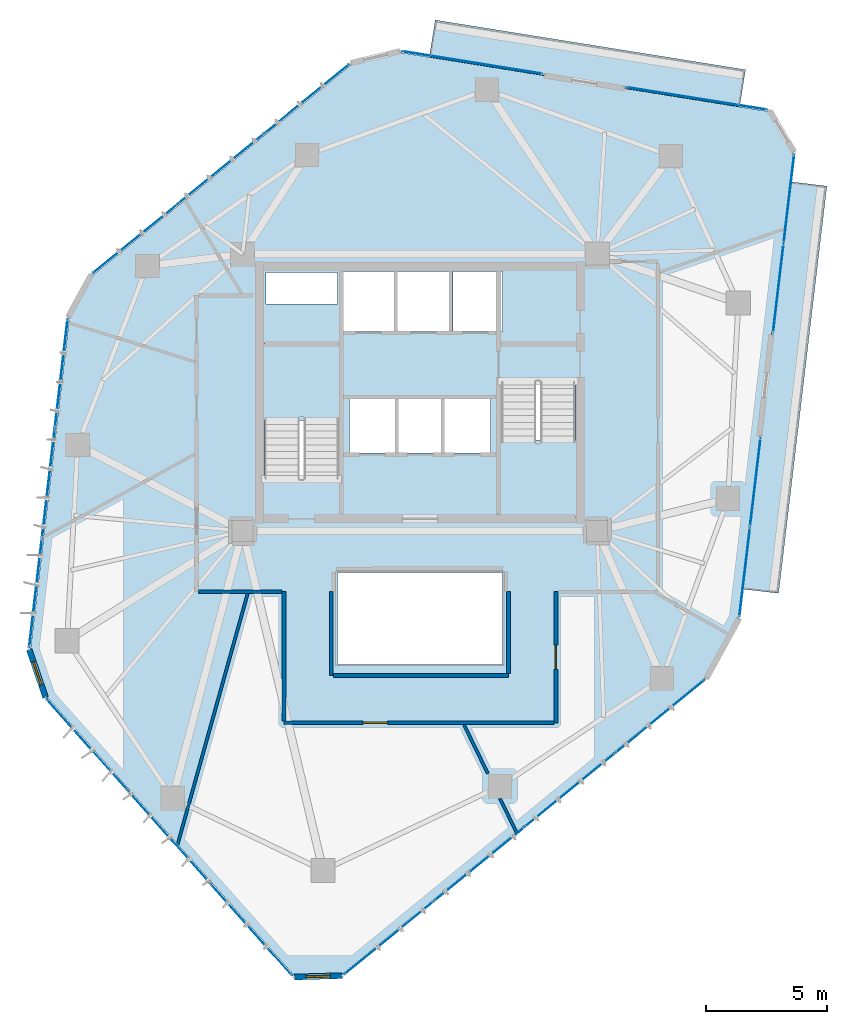
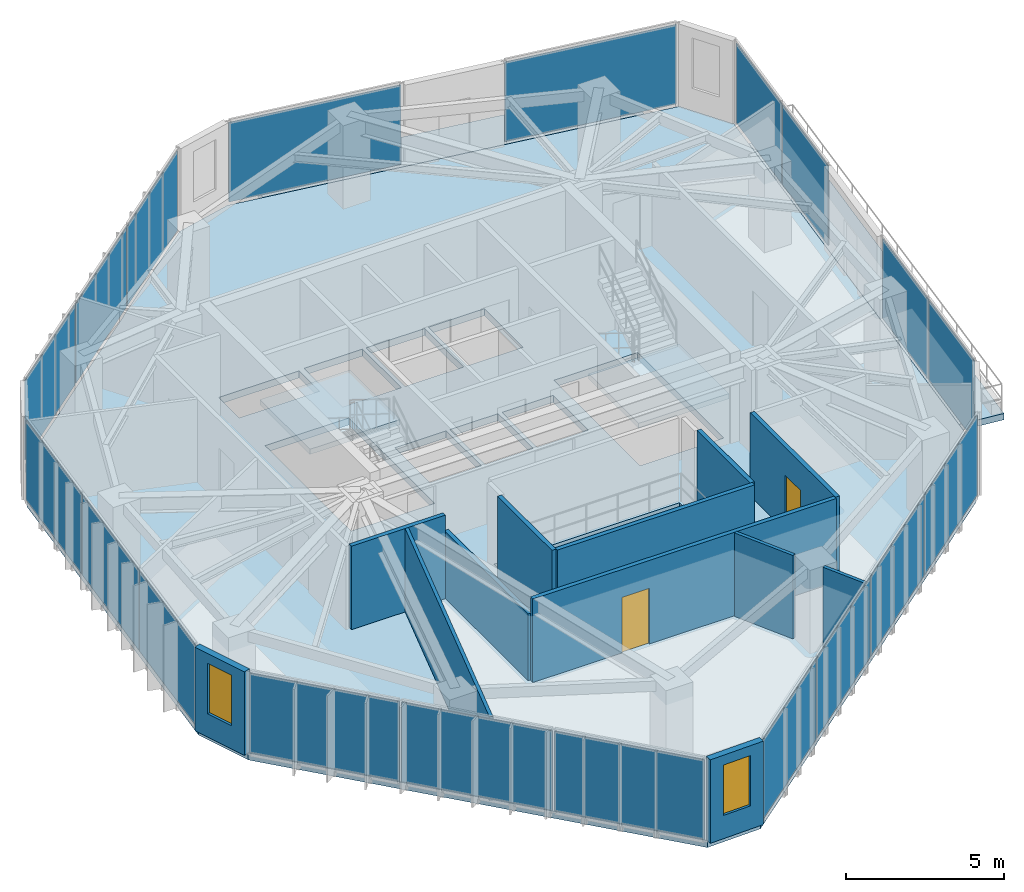
# One storey, part 17 of 22: 19 plates, 12 walls, 5 slabs, 2 doors, 2 windows, 4 openings, 10 elements without a shape of their own.
"""IFC4 building model written with IfcOpenShell, lengths in metres."""

from ifc_helpers import new_model, si_unit, direction, frame, frame_2d, origin, origin_2d, place, context, subcontext, project, spatial, polyline, rectangle, outline, extrude, source, transform, mapped, material, layer, layer_set, type_object, type_shapes, element, fill, aggregate, save


model = new_model("IFC4")

# Units and contexts
model_context = context("Model", 3, precision=1e-05, world=origin(), true_north=direction((0.0, 1.0)))
body_context = subcontext(model_context, "Body", "Model", "MODEL_VIEW")
ifc_project = project(units=[si_unit("LENGTHUNIT", "METRE"), si_unit("AREAUNIT", "SQUARE_METRE"), si_unit("VOLUMEUNIT", "CUBIC_METRE"), si_unit("PLANEANGLEUNIT", "RADIAN"), si_unit("MASSUNIT", "GRAM", prefix="KILO")], contexts=[model_context])

# Site, building, storey
site_placement = place(None, origin())
site = spatial("IfcSite", under=ifc_project, at=site_placement, CompositionType="ELEMENT")
building_placement = place(site_placement, origin())
building = spatial("IfcBuilding", under=site, at=building_placement, Name="Talar Marvaseh", CompositionType="ELEMENT")
storey_placement = place(building_placement, frame((0.0, 0.0, 229.199951171875)))
storey = spatial("IfcBuildingStorey", under=building, at=storey_placement, Name="L60", CompositionType="ELEMENT", Elevation=229.199951171875)

# Slabs
ifc_material_1 = material(Name="Concrete C40/50", Category="concrete")
ifc_layer_1 = layer(ifc_material_1, 0.2451171875)
ifc_layer_set_1 = layer_set([ifc_layer_1], Name="Concrete C40/50")
slab_type_1 = type_object("IfcSlabType", Name="External Cantilevered Planted Terrace Slab 245", PredefinedType="FLOOR", material=ifc_layer_set_1)
slab_1_placement = place(storey_placement, frame((0.0, 0.0, -0.244873046875)))
element("IfcSlab", 1, at=slab_1_placement, inside=storey, type_object=slab_type_1, Name="L60 Planted Balcony Terrace 1", PredefinedType="FLOOR", context=body_context, shape_type="SweptSolid", body=[
    extrude(outline(polyline([(26.38720703125, 45.010986328125), (39.16357421875, 42.96533203125), (39.40869140625, 44.495849609375), (26.63232421875, 46.54150390625), (26.38720703125, 45.010986328125)])), origin(), (0.0, 0.0, 1.0), 0.244873046875),
])
slab_2_placement = place(storey_placement, frame((0.0, 0.0, -0.244873046875)))
element("IfcSlab", 2, at=slab_2_placement, inside=storey, type_object=slab_type_1, Name="L60 Planted Balcony Terrace 2", PredefinedType="FLOOR", context=body_context, shape_type="SweptSolid", body=[
    extrude(outline(polyline([(41.220703125, 39.885498046875), (39.23291015625, 23.11474609375), (40.772216796875, 22.932373046875), (42.760009765625, 39.703125), (41.220703125, 39.885498046875)])), origin(), (0.0, 0.0, 1.0), 0.244873046875),
])

# Stair, slab
stair_type = type_object("IfcStairType", Name="Reinforced Concrete High-Rise Exit Stair Type C", PredefinedType="HALF_TURN_STAIR", material=ifc_material_1)
stair_1_placement = place(storey_placement, origin())
stair_1 = element("IfcStair", 3, at=stair_1_placement, inside=storey, type_object=stair_type, Name="L60 Tower West Core Exit Stair", PredefinedType="HALF_TURN_STAIR")
ifc_layer_2 = layer(ifc_material_1, 0.199951171875)
ifc_layer_set_2 = layer_set([ifc_layer_2], Name="Concrete C40/50")
slab_type_2 = type_object("IfcSlabType", Name="Reinforced Concrete Stair Half-Landing Slab 200", PredefinedType="LANDING", material=ifc_layer_set_2)
slab_3_placement = place(storey_placement, frame((0.0, 0.0, 1.550048828125)))
slab_3 = element("IfcSlab", 4, at=slab_3_placement, type_object=slab_type_2, Name="ST-1 landing 1", PredefinedType="LANDING", context=body_context, shape_type="SweptSolid", body=[
    extrude(outline(polyline([(22.780029296875, 30.050048828125), (22.780029296875, 33.219970703125), (19.47998046875, 33.219970703125), (19.47998046875, 30.050048828125), (22.780029296875, 30.050048828125)])), origin(), (0.0, 0.0, 1.0), 0.199951171875),
])
aggregate(stair_1, [slab_3])

stair_2_placement = place(storey_placement, origin())
stair_2 = element("IfcStair", 5, at=stair_2_placement, inside=storey, type_object=stair_type, Name="L60 Tower East Core Exit Stair", PredefinedType="HALF_TURN_STAIR")
slab_4_placement = place(storey_placement, frame((0.0, 0.0, 1.550048828125)))
slab_4 = element("IfcSlab", 6, at=slab_4_placement, type_object=slab_type_2, Name="ST-2 landing 1", PredefinedType="LANDING", context=body_context, shape_type="SweptSolid", body=[
    extrude(outline(polyline([(29.219970703125, 29.25), (29.219970703125, 26.080078125), (32.52001953125, 26.080078125), (32.52001953125, 29.25), (29.219970703125, 29.25)])), origin(), (0.0, 0.0, 1.0), 0.199951171875),
])
aggregate(stair_2, [slab_4])

# Slab
ifc_layer_3 = layer(ifc_material_1, 0.27001953125)
ifc_layer_set_3 = layer_set([ifc_layer_3], Name="Concrete C40/50")
slab_type_3 = type_object("IfcSlabType", Name="Structural Suspended Floor Slab 270", PredefinedType="FLOOR", material=ifc_layer_set_3)
slab_5_placement = place(storey_placement, frame((0.0, 0.0, -0.27001953125)))
element("IfcSlab", 7, at=slab_5_placement, inside=storey, type_object=slab_type_3, Name="L60 Tower Floor Slab", PredefinedType="FLOOR", context=body_context, shape_type="SweptSolid", body=[
    extrude(outline(polyline([(22.802978515625, 7.248779296875), (20.826171875, 7.191162109375), (10.642822265625, 18.662109375), (9.96728515625, 20.638427734375), (11.565185546875, 34.27685546875), (12.528564453125, 36.033203125), (23.172607421875, 44.70849609375), (25.202392578125, 45.20068359375), (40.348388671875, 42.775634765625), (41.36181640625, 41.0771484375), (39.091796875, 21.923095703125), (37.73779296875, 19.454833984375), (22.802978515625, 7.248779296875)]), holes=[polyline([(22.659912109375, 27.64990234375), (22.659912109375, 33.10009765625), (19.60009765625, 33.10009765625), (19.60009765625, 27.64990234375), (22.659912109375, 27.64990234375)]), polyline([(29.340087890625, 31.64990234375), (29.340087890625, 26.199951171875), (32.39990234375, 26.199951171875), (32.39990234375, 31.64990234375), (29.340087890625, 31.64990234375)]), polyline([(22.800048828125, 33.719970703125), (24.93994140625, 33.719970703125), (24.93994140625, 36.179931640625), (22.800048828125, 36.179931640625), (22.800048828125, 33.719970703125)]), polyline([(25.080078125, 33.719970703125), (27.219970703125, 33.719970703125), (27.219970703125, 36.179931640625), (25.080078125, 36.179931640625), (25.080078125, 33.719970703125)]), polyline([(27.360107421875, 33.719970703125), (29.39990234375, 33.719970703125), (29.39990234375, 36.179931640625), (27.360107421875, 36.179931640625), (27.360107421875, 33.719970703125)]), polyline([(23.10009765625, 28.719970703125), (24.97998046875, 28.719970703125), (24.97998046875, 30.93994140625), (23.10009765625, 30.93994140625), (23.10009765625, 28.719970703125)]), polyline([(25.1201171875, 28.719970703125), (26.8798828125, 28.719970703125), (26.8798828125, 30.93994140625), (25.1201171875, 30.93994140625), (25.1201171875, 28.719970703125)]), polyline([(27.02001953125, 28.719970703125), (28.89990234375, 28.719970703125), (28.89990234375, 30.93994140625), (27.02001953125, 30.93994140625), (27.02001953125, 28.719970703125)]), polyline([(19.659912109375, 34.840087890625), (22.60009765625, 34.840087890625), (22.60009765625, 36.139892578125), (19.659912109375, 36.139892578125), (19.659912109375, 34.840087890625)]), polyline([(22.60009765625, 20.0), (29.39990234375, 20.0), (29.39990234375, 23.800048828125), (22.60009765625, 23.800048828125), (22.60009765625, 20.0)])]), origin(), (0.0, 0.0, 1.0), 0.27001953125),
])

# Curtain wall, plates
ifc_material_2 = material(Name="Architectural Aluminium", Category="aluminium")
ifc_layer_4 = layer(ifc_material_2, 0.18994140625)
ifc_layer_set_4 = layer_set([ifc_layer_4], Name="Architectural Aluminium")
curtain_wall_type = type_object("IfcCurtainWallType", Name="Unitised Solar Atelier Curtain Wall Z3", PredefinedType="NOTDEFINED", material=ifc_layer_set_4)
curtain_wall_1_placement = place(storey_placement, origin())
curtain_wall_1 = element("IfcCurtainWall", 8, at=curtain_wall_1_placement, inside=storey, type_object=curtain_wall_type, Name="L60 Unitised Solar Atelier Curtain Wall Z3", PredefinedType="NOTDEFINED")
ifc_material_3 = material(Name="Laminated Low-E Solar Glass", Category="glass")
ifc_layer_5 = layer(ifc_material_3, 0.028076171875)
ifc_layer_set_5 = layer_set([ifc_layer_5], Name="Laminated Low-E Solar Glass")
plate_type = type_object("IfcPlateType", Name="Double-Glazed Low-E Vision Curtain Panel 28", PredefinedType="CURTAIN_PANEL", material=ifc_layer_set_5)
shared_shape_1 = source(origin(), body_context, "Body", "SweptSolid", [
    extrude(rectangle(XDim=5.00048828125, YDim=0.028076171875, at=origin_2d()), origin(), (0.0, 0.0, 1.0), 3.080078125),
])
plate_1_placement = place(storey_placement, frame((19.071533203125, 9.0771484375, 0.074951171875), z_axis=(0.0, 0.0, 1.0), x_axis=(-0.663881765717, 0.747837549972, 0.0)))
plate_1 = element("IfcPlate", 9, at=plate_1_placement, type_object=plate_type, Name="CW-Z3 panel 1.1", PredefinedType="CURTAIN_PANEL", context=body_context, shape_type="MappedRepresentation", body=[
    mapped(shared_shape_1, transform((0.0, 0.0, 0.0), x_axis=(1.0, 0.0, 0.0), y_axis=(0.0, 1.0, 0.0), z_axis=(0.0, 0.0, 1.0), scale=1.0)),
])
plate_2_placement = place(storey_placement, frame((12.3076171875, 16.696533203125, 0.074951171875), z_axis=(0.0, 0.0, 1.0), x_axis=(-0.663881765717, 0.747837549972, 0.0)))
plate_2 = element("IfcPlate", 10, at=plate_2_placement, type_object=plate_type, Name="CW-Z3 panel 3.1", PredefinedType="CURTAIN_PANEL", context=body_context, shape_type="MappedRepresentation", body=[
    mapped(shared_shape_1, transform((0.0, 0.0, 0.0), x_axis=(1.0, 0.0, 0.0), y_axis=(0.0, 1.0, 0.0), z_axis=(0.0, 0.0, 1.0), scale=1.0)),
])
shared_shape_2 = source(origin(), body_context, "Body", "SweptSolid", [
    extrude(rectangle(XDim=5.0380859375, YDim=0.028076171875, at=origin_2d()), origin(), (0.0, 0.0, 1.0), 3.080078125),
])
plate_3_placement = place(storey_placement, frame((15.689697265625, 12.886962890625, 0.074951171875), z_axis=(0.0, 0.0, 1.0), x_axis=(-0.663881765717, 0.747837549972, 0.0)))
plate_3 = element("IfcPlate", 11, at=plate_3_placement, type_object=plate_type, Name="CW-Z3 panel 2.1", PredefinedType="CURTAIN_PANEL", context=body_context, shape_type="MappedRepresentation", body=[
    mapped(shared_shape_2, transform((0.0, 0.0, 0.0), x_axis=(1.0, 0.0, 0.0), y_axis=(0.0, 1.0, 0.0), z_axis=(0.0, 0.0, 1.0), scale=1.0)),
])
aggregate(curtain_wall_1, [plate_1, plate_3, plate_2])

curtain_wall_2_placement = place(storey_placement, origin())
curtain_wall_2 = element("IfcCurtainWall", 12, at=curtain_wall_2_placement, inside=storey, type_object=curtain_wall_type, Name="L60 Unitised Solar Atelier Curtain Wall Z3", PredefinedType="NOTDEFINED")
shared_shape_3 = source(origin(), body_context, "Body", "SweptSolid", [
    extrude(rectangle(XDim=4.46484375, YDim=0.028076171875, at=origin_2d()), origin(), (0.0, 0.0, 1.0), 3.080078125),
])
plate_4_placement = place(storey_placement, frame((10.176025390625, 22.937255859375, 0.074951171875), z_axis=(0.0, 0.0, 1.0), x_axis=(0.116365888114, 0.993206413634, 0.0)))
plate_4 = element("IfcPlate", 13, at=plate_4_placement, type_object=plate_type, Name="CW-Z3 panel 1.1", PredefinedType="CURTAIN_PANEL", context=body_context, shape_type="MappedRepresentation", body=[
    mapped(shared_shape_3, transform((0.0, 0.0, 0.0), x_axis=(1.0, 0.0, 0.0), y_axis=(0.0, 1.0, 0.0), z_axis=(0.0, 0.0, 1.0), scale=1.0)),
])
plate_5_placement = place(storey_placement, frame((11.237060546875, 31.9921875, 0.074951171875), z_axis=(0.0, 0.0, 1.0), x_axis=(0.116365888114, 0.993206413634, 0.0)))
plate_5 = element("IfcPlate", 14, at=plate_5_placement, type_object=plate_type, Name="CW-Z3 panel 3.1", PredefinedType="CURTAIN_PANEL", context=body_context, shape_type="MappedRepresentation", body=[
    mapped(shared_shape_3, transform((0.0, 0.0, 0.0), x_axis=(1.0, 0.0, 0.0), y_axis=(0.0, 1.0, 0.0), z_axis=(0.0, 0.0, 1.0), scale=1.0)),
])

curtain_wall_3_placement = place(storey_placement, origin())
curtain_wall_3 = element("IfcCurtainWall", 15, at=curtain_wall_3_placement, inside=storey, type_object=curtain_wall_type, Name="L60 Unitised Solar Atelier Curtain Wall Z3", PredefinedType="NOTDEFINED")
plate_6_placement = place(storey_placement, frame((14.279052734375, 37.537353515625, 0.074951171875), z_axis=(0.0, 0.0, 1.0), x_axis=(0.775144767248, 0.63178365744, 0.0)))
plate_6 = element("IfcPlate", 16, at=plate_6_placement, type_object=plate_type, Name="CW-Z3 panel 1.1", PredefinedType="CURTAIN_PANEL", context=body_context, shape_type="MappedRepresentation", body=[
    mapped(shared_shape_3, transform((0.0, 0.0, 0.0), x_axis=(1.0, 0.0, 0.0), y_axis=(0.0, 1.0, 0.0), z_axis=(0.0, 0.0, 1.0), scale=1.0)),
])
plate_7_placement = place(storey_placement, frame((21.34619140625, 43.29736328125, 0.074951171875), z_axis=(0.0, 0.0, 1.0), x_axis=(0.775144767248, 0.63178365744, 0.0)))
plate_7 = element("IfcPlate", 17, at=plate_7_placement, type_object=plate_type, Name="CW-Z3 panel 3.1", PredefinedType="CURTAIN_PANEL", context=body_context, shape_type="MappedRepresentation", body=[
    mapped(shared_shape_3, transform((0.0, 0.0, 0.0), x_axis=(1.0, 0.0, 0.0), y_axis=(0.0, 1.0, 0.0), z_axis=(0.0, 0.0, 1.0), scale=1.0)),
])

# Plate
shared_shape_4 = source(origin(), body_context, "Body", "SweptSolid", [
    extrude(rectangle(XDim=4.502197265625, YDim=0.028076171875, at=origin_2d()), origin(), (0.0, 0.0, 1.0), 3.080078125),
])
plate_8_placement = place(storey_placement, frame((10.70654296875, 27.464599609375, 0.074951171875), z_axis=(0.0, 0.0, 1.0), x_axis=(0.116365888114, 0.993206413634, 0.0)))
plate_8 = element("IfcPlate", 18, at=plate_8_placement, type_object=plate_type, Name="CW-Z3 panel 2.1", PredefinedType="CURTAIN_PANEL", context=body_context, shape_type="MappedRepresentation", body=[
    mapped(shared_shape_4, transform((0.0, 0.0, 0.0), x_axis=(1.0, 0.0, 0.0), y_axis=(0.0, 1.0, 0.0), z_axis=(0.0, 0.0, 1.0), scale=1.0)),
])

aggregate(curtain_wall_2, [plate_4, plate_8, plate_5])

plate_9_placement = place(storey_placement, frame((17.812744140625, 40.417236328125, 0.074951171875), z_axis=(0.0, 0.0, 1.0), x_axis=(0.775144767248, 0.63178365744, 0.0)))
plate_9 = element("IfcPlate", 19, at=plate_9_placement, type_object=plate_type, Name="CW-Z3 panel 2.1", PredefinedType="CURTAIN_PANEL", context=body_context, shape_type="MappedRepresentation", body=[
    mapped(shared_shape_4, transform((0.0, 0.0, 0.0), x_axis=(1.0, 0.0, 0.0), y_axis=(0.0, 1.0, 0.0), z_axis=(0.0, 0.0, 1.0), scale=1.0)),
])

aggregate(curtain_wall_3, [plate_6, plate_9, plate_7])

# Curtain wall, plates
curtain_wall_4_placement = place(storey_placement, origin())
curtain_wall_4 = element("IfcCurtainWall", 20, at=curtain_wall_4_placement, inside=storey, type_object=curtain_wall_type, Name="L60 Unitised Solar Atelier Curtain Wall Z3", PredefinedType="NOTDEFINED")
shared_shape_5 = source(origin(), body_context, "Body", "SweptSolid", [
    extrude(rectangle(XDim=4.70947265625, YDim=0.028076171875, at=origin_2d()), origin(), (0.0, 0.0, 1.0), 3.080078125),
])
plate_10_placement = place(storey_placement, frame((35.89453125, 17.870849609375, 0.074951171875), z_axis=(0.0, 0.0, 1.0), x_axis=(-0.774297209801, -0.632822116312, 0.0)))
plate_10 = element("IfcPlate", 21, at=plate_10_placement, type_object=plate_type, Name="CW-Z3 panel 1.1", PredefinedType="CURTAIN_PANEL", context=body_context, shape_type="MappedRepresentation", body=[
    mapped(shared_shape_5, transform((0.0, 0.0, 0.0), x_axis=(1.0, 0.0, 0.0), y_axis=(0.0, 1.0, 0.0), z_axis=(0.0, 0.0, 1.0), scale=1.0)),
])
plate_11_placement = place(storey_placement, frame((24.722412109375, 8.739990234375, 0.074951171875), z_axis=(0.0, 0.0, 1.0), x_axis=(-0.774297209801, -0.632822116312, 0.0)))
plate_11 = element("IfcPlate", 22, at=plate_11_placement, type_object=plate_type, Name="CW-Z3 panel 4.1", PredefinedType="CURTAIN_PANEL", context=body_context, shape_type="MappedRepresentation", body=[
    mapped(shared_shape_5, transform((0.0, 0.0, 0.0), x_axis=(1.0, 0.0, 0.0), y_axis=(0.0, 1.0, 0.0), z_axis=(0.0, 0.0, 1.0), scale=1.0)),
])
shared_shape_6 = source(origin(), body_context, "Body", "SweptSolid", [
    extrude(rectangle(XDim=4.7470703125, YDim=0.028076171875, at=origin_2d()), origin(), (0.0, 0.0, 1.0), 3.080078125),
])
plate_12_placement = place(storey_placement, frame((32.17529296875, 14.8310546875, 0.074951171875), z_axis=(0.0, 0.0, 1.0), x_axis=(-0.774297209801, -0.632822116312, 0.0)))
plate_12 = element("IfcPlate", 23, at=plate_12_placement, type_object=plate_type, Name="CW-Z3 panel 2.1", PredefinedType="CURTAIN_PANEL", context=body_context, shape_type="MappedRepresentation", body=[
    mapped(shared_shape_6, transform((0.0, 0.0, 0.0), x_axis=(1.0, 0.0, 0.0), y_axis=(0.0, 1.0, 0.0), z_axis=(0.0, 0.0, 1.0), scale=1.0)),
])
plate_13_placement = place(storey_placement, frame((28.441650390625, 11.779541015625, 0.074951171875), z_axis=(0.0, 0.0, 1.0), x_axis=(-0.774297209801, -0.632822116312, 0.0)))
plate_13 = element("IfcPlate", 24, at=plate_13_placement, type_object=plate_type, Name="CW-Z3 panel 3.1", PredefinedType="CURTAIN_PANEL", context=body_context, shape_type="MappedRepresentation", body=[
    mapped(shared_shape_6, transform((0.0, 0.0, 0.0), x_axis=(1.0, 0.0, 0.0), y_axis=(0.0, 1.0, 0.0), z_axis=(0.0, 0.0, 1.0), scale=1.0)),
])
aggregate(curtain_wall_4, [plate_10, plate_12, plate_13, plate_11])

# Curtain wall, plate
curtain_wall_5_placement = place(storey_placement, origin())
curtain_wall_5 = element("IfcCurtainWall", 25, at=curtain_wall_5_placement, inside=storey, type_object=curtain_wall_type, Name="L60 Unitised Solar Atelier Curtain Wall Z3", PredefinedType="NOTDEFINED")
shared_shape_7 = source(origin(), body_context, "Body", "SweptSolid", [
    extrude(rectangle(XDim=5.832275390625, YDim=0.028076171875, at=origin_2d()), origin(), (0.0, 0.0, 1.0), 3.080078125),
])
plate_14_placement = place(storey_placement, frame((28.165283203125, 44.786865234375, 0.074951171875), z_axis=(0.0, 0.0, 1.0), x_axis=(0.987425501976, -0.15808503423, 0.0)))
plate_14 = element("IfcPlate", 26, at=plate_14_placement, type_object=plate_type, Name="CW-Z3 panel 1.1", PredefinedType="CURTAIN_PANEL", context=body_context, shape_type="MappedRepresentation", body=[
    mapped(shared_shape_7, transform((0.0, 0.0, 0.0), x_axis=(1.0, 0.0, 0.0), y_axis=(0.0, 1.0, 0.0), z_axis=(0.0, 0.0, 1.0), scale=1.0)),
])
aggregate(curtain_wall_5, [plate_14])

curtain_wall_6_placement = place(storey_placement, origin())
curtain_wall_6 = element("IfcCurtainWall", 27, at=curtain_wall_6_placement, inside=storey, type_object=curtain_wall_type, Name="L60 Unitised Solar Atelier Curtain Wall Z3", PredefinedType="NOTDEFINED")
plate_15_placement = place(storey_placement, frame((37.404541015625, 43.3076171875, 0.074951171875), z_axis=(0.0, 0.0, 1.0), x_axis=(0.987425501976, -0.15808503423, 0.0)))
plate_15 = element("IfcPlate", 28, at=plate_15_placement, type_object=plate_type, Name="CW-Z3 panel 1.1", PredefinedType="CURTAIN_PANEL", context=body_context, shape_type="MappedRepresentation", body=[
    mapped(shared_shape_7, transform((0.0, 0.0, 0.0), x_axis=(1.0, 0.0, 0.0), y_axis=(0.0, 1.0, 0.0), z_axis=(0.0, 0.0, 1.0), scale=1.0)),
])
aggregate(curtain_wall_6, [plate_15])

# Curtain wall, plates
curtain_wall_7_placement = place(storey_placement, origin())
curtain_wall_7 = element("IfcCurtainWall", 29, at=curtain_wall_7_placement, inside=storey, type_object=curtain_wall_type, Name="L60 Unitised Solar Atelier Curtain Wall Z3", PredefinedType="NOTDEFINED")
shared_shape_8 = source(origin(), body_context, "Body", "SweptSolid", [
    extrude(rectangle(XDim=3.648681640625, YDim=0.028076171875, at=origin_2d()), origin(), (0.0, 0.0, 1.0), 3.080078125),
])
type_shapes(plate_type, [shared_shape_1, shared_shape_2, shared_shape_3, shared_shape_4, shared_shape_5, shared_shape_6, shared_shape_7, shared_shape_8])
plate_16_placement = place(storey_placement, frame((41.197998046875, 39.183837890625, 0.074951171875), z_axis=(0.0, 0.0, 1.0), x_axis=(-0.117688869355, -0.993050517361, 0.0)))
plate_16 = element("IfcPlate", 30, at=plate_16_placement, type_object=plate_type, Name="CW-Z3 panel 1.1", PredefinedType="CURTAIN_PANEL", context=body_context, shape_type="MappedRepresentation", body=[
    mapped(shared_shape_8, transform((0.0, 0.0, 0.0), x_axis=(1.0, 0.0, 0.0), y_axis=(0.0, 1.0, 0.0), z_axis=(0.0, 0.0, 1.0), scale=1.0)),
])
plate_17_placement = place(storey_placement, frame((40.759765625, 35.486083984375, 0.074951171875), z_axis=(0.0, 0.0, 1.0), x_axis=(-0.117688869355, -0.993050517361, 0.0)))
plate_17 = element("IfcPlate", 31, at=plate_17_placement, type_object=plate_type, Name="CW-Z3 panel 2.1", PredefinedType="CURTAIN_PANEL", context=body_context, shape_type="MappedRepresentation", body=[
    mapped(shared_shape_8, transform((0.0, 0.0, 0.0), x_axis=(1.0, 0.0, 0.0), y_axis=(0.0, 1.0, 0.0), z_axis=(0.0, 0.0, 1.0), scale=1.0)),
])
aggregate(curtain_wall_7, [plate_16, plate_17])

curtain_wall_8_placement = place(storey_placement, origin())
curtain_wall_8 = element("IfcCurtainWall", 32, at=curtain_wall_8_placement, inside=storey, type_object=curtain_wall_type, Name="L60 Unitised Solar Atelier Curtain Wall Z3", PredefinedType="NOTDEFINED")
plate_18_placement = place(storey_placement, frame((39.813232421875, 27.5, 0.074951171875), z_axis=(0.0, 0.0, 1.0), x_axis=(-0.117688869355, -0.993050517361, 0.0)))
plate_18 = element("IfcPlate", 33, at=plate_18_placement, type_object=plate_type, Name="CW-Z3 panel 1.1", PredefinedType="CURTAIN_PANEL", context=body_context, shape_type="MappedRepresentation", body=[
    mapped(shared_shape_8, transform((0.0, 0.0, 0.0), x_axis=(1.0, 0.0, 0.0), y_axis=(0.0, 1.0, 0.0), z_axis=(0.0, 0.0, 1.0), scale=1.0)),
])
plate_19_placement = place(storey_placement, frame((39.375, 23.80224609375, 0.074951171875), z_axis=(0.0, 0.0, 1.0), x_axis=(-0.117688869355, -0.993050517361, 0.0)))
plate_19 = element("IfcPlate", 34, at=plate_19_placement, type_object=plate_type, Name="CW-Z3 panel 2.1", PredefinedType="CURTAIN_PANEL", context=body_context, shape_type="MappedRepresentation", body=[
    mapped(shared_shape_8, transform((0.0, 0.0, 0.0), x_axis=(1.0, 0.0, 0.0), y_axis=(0.0, 1.0, 0.0), z_axis=(0.0, 0.0, 1.0), scale=1.0)),
])
aggregate(curtain_wall_8, [plate_18, plate_19])

# Wall, opening, window
ifc_material_4 = material(Name="Precast concrete C45/55", Category="concrete")
ifc_layer_6 = layer(ifc_material_4, 0.239990234375)
ifc_layer_set_6 = layer_set([ifc_layer_6], Name="Precast concrete C45/55")
wall_type_1 = type_object("IfcWallType", Name="Chamfered Hexagonal Corner Pier Wall Z3 240", PredefinedType="SOLIDWALL", material=ifc_layer_set_6)
wall_1_placement = place(storey_placement, frame((22.8046875, 7.18896484375, 0.0), z_axis=(0.0, 0.0, 1.0), x_axis=(-0.999571905676, -0.029257569673, 0.0)))
wall_1 = element("IfcWall", 35, at=wall_1_placement, inside=storey, type_object=wall_type_1, Name="L60 Chamfered Corner Limestone Pier 1", PredefinedType="SOLIDWALL", context=body_context, shape_type="SweptSolid", body=[
    extrude(rectangle(XDim=1.9775390625, YDim=0.239990234375, at=frame_2d((0.98876953125, 0.0))), origin(), (0.0, 0.0, 1.0), 3.22998046875),
])
opening_1_placement = place(wall_1_placement, frame((0.489013671875, 0.0, 0.89990234375)))
opening_1 = element("IfcOpeningElement", 36, at=opening_1_placement, cuts=wall_1, Name="Opening WN-CHM10", PredefinedType="OPENING", context=body_context, shape_type="SweptSolid", body=[
    extrude(rectangle(XDim=1.0, YDim=1.949951171875, at=frame_2d((0.5, 0.97509765625))), frame((0.0, 0.1298828125, 0.0), z_axis=(0.0, -1.0, 0.0), x_axis=(1.0, 0.0, 0.0)), (0.0, 0.0, 1.0), 0.260009765625),
])
window_type = type_object("IfcWindowType", Name="Zone 3 Chamfered Corner Slot Window 1000x1950", PartitioningType="SINGLE_PANEL", PredefinedType="WINDOW", material=ifc_material_3)
shared_shape_9 = source(origin(), body_context, "Body", "SweptSolid", [
    extrude(rectangle(XDim=1.0, YDim=1.949951171875, at=frame_2d((0.5, 0.97509765625))), frame((0.0, 0.030029296875, 0.0), z_axis=(0.0, -1.0, 0.0), x_axis=(1.0, 0.0, 0.0)), (0.0, 0.0, 1.0), 0.06005859375),
])
type_shapes(window_type, [shared_shape_9])
window_1_placement = place(opening_1_placement, origin())
window_1 = element("IfcWindow", 37, at=window_1_placement, inside=storey, type_object=window_type, Name="L60 Chamfered Corner Slot Window", OverallHeight=1.949951171875, OverallWidth=1.0, PartitioningType="SINGLE_PANEL", PredefinedType="WINDOW", context=body_context, shape_type="MappedRepresentation", body=[
    mapped(shared_shape_9, transform((0.0, 0.0, 0.0), x_axis=(1.0, 0.0, 0.0), y_axis=(0.0, 1.0, 0.0), z_axis=(0.0, 0.0, 1.0), scale=1.0)),
])
fill(opening_1, window_1)

wall_2_placement = place(storey_placement, frame((10.586181640625, 18.642822265625, 0.0), z_axis=(0.0, 0.0, 1.0), x_axis=(-0.323547235435, 0.946212019815, 0.0)))
wall_2 = element("IfcWall", 38, at=wall_2_placement, inside=storey, type_object=wall_type_1, Name="L60 Chamfered Corner Limestone Pier 2", PredefinedType="SOLIDWALL", context=body_context, shape_type="SweptSolid", body=[
    extrude(rectangle(XDim=2.088623046875, YDim=0.239990234375, at=frame_2d((1.04443359375, 0.0))), origin(), (0.0, 0.0, 1.0), 3.22998046875),
])
opening_2_placement = place(wall_2_placement, frame((0.5439453125, 0.0, 0.89990234375)))
opening_2 = element("IfcOpeningElement", 39, at=opening_2_placement, cuts=wall_2, Name="Opening WN-CHM10", PredefinedType="OPENING", context=body_context, shape_type="SweptSolid", body=[
    extrude(rectangle(XDim=1.0, YDim=1.949951171875, at=frame_2d((0.5, 0.97509765625))), frame((0.0, 0.1298828125, 0.0), z_axis=(0.0, -1.0, 0.0), x_axis=(1.0, 0.0, 0.0)), (0.0, 0.0, 1.0), 0.260009765625),
])
window_2_placement = place(opening_2_placement, origin())
window_2 = element("IfcWindow", 40, at=window_2_placement, inside=storey, type_object=window_type, Name="L60 Chamfered Corner Slot Window", OverallHeight=1.949951171875, OverallWidth=1.0, PartitioningType="SINGLE_PANEL", PredefinedType="WINDOW", context=body_context, shape_type="MappedRepresentation", body=[
    mapped(shared_shape_9, transform((0.0, 0.0, 0.0), x_axis=(1.0, 0.0, 0.0), y_axis=(0.0, 1.0, 0.0), z_axis=(0.0, 0.0, 1.0), scale=1.0)),
])
fill(opening_2, window_2)

# Wall, opening, door
ifc_material_5 = material(Name="Gypsum Board Partition Assembly")
ifc_layer_7 = layer(ifc_material_5, 0.155029296875)
ifc_layer_set_7 = layer_set([ifc_layer_7], Name="Gypsum Board Partition Assembly")
wall_type_2 = type_object("IfcWallType", Name="Corridor Fire-Rated Acoustic Partition 155", PredefinedType="PARTITIONING", material=ifc_layer_set_7)
wall_3_placement = place(storey_placement, frame((31.60009765625, 23.0, 0.0), z_axis=(0.0, 0.0, 1.0), x_axis=(0.0, -1.0, 0.0)))
wall_3 = element("IfcWall", 41, at=wall_3_placement, inside=storey, type_object=wall_type_2, Name="L60 Interior Partition Wall", PredefinedType="PARTITIONING", context=body_context, shape_type="SweptSolid", body=[
    extrude(rectangle(XDim=5.39990234375, YDim=0.155029296875, at=frame_2d((2.699951171875, 0.0))), origin(), (0.0, 0.0, 1.0), 3.22998046875),
])
opening_3_placement = place(wall_3_placement, frame((2.199951171875, 0.0, 0.0)))
opening_3 = element("IfcOpeningElement", 42, at=opening_3_placement, cuts=wall_3, Name="Opening DR-RM100", PredefinedType="OPENING", context=body_context, shape_type="SweptSolid", body=[
    extrude(rectangle(XDim=1.0, YDim=2.14990234375, at=frame_2d((0.5, 1.074951171875))), frame((0.0, 0.08740234375, 0.0), z_axis=(0.0, -1.0, 0.0), x_axis=(1.0, 0.0, 0.0)), (0.0, 0.0, 1.0), 0.175048828125),
])
ifc_material_6 = material(Name="Acoustic Engineered Oak Timber", Category="wood")
door_type = type_object("IfcDoorType", Name="Corridor Fire-Rated Gallery Door 1000x2150", OperationType="NOTDEFINED", PredefinedType="DOOR", material=ifc_material_6)
shared_shape_10 = source(origin(), body_context, "Body", "SweptSolid", [
    extrude(rectangle(XDim=1.0, YDim=2.14990234375, at=frame_2d((0.5, 1.074951171875))), frame((0.0, 0.02490234375, 0.0), z_axis=(0.0, -1.0, 0.0), x_axis=(1.0, 0.0, 0.0)), (0.0, 0.0, 1.0), 0.050048828125),
])
type_shapes(door_type, [shared_shape_10])
door_1_placement = place(opening_3_placement, origin())
door_1 = element("IfcDoor", 43, at=door_1_placement, inside=storey, type_object=door_type, Name="L60 Visitor Orientation Foyer Door", OperationType="SINGLE_SWING_LEFT", OverallHeight=2.14990234375, OverallWidth=1.0, PredefinedType="DOOR", context=body_context, shape_type="MappedRepresentation", body=[
    mapped(shared_shape_10, transform((0.0, 0.0, 0.0), x_axis=(1.0, 0.0, 0.0), y_axis=(0.0, 1.0, 0.0), z_axis=(0.0, 0.0, 1.0), scale=1.0)),
])
fill(opening_3, door_1)

wall_4_placement = place(storey_placement, frame((31.5166015625, 17.60009765625, 0.0), z_axis=(0.0, 0.0, 1.0), x_axis=(-1.0, 0.0, 0.0)))
wall_4 = element("IfcWall", 44, at=wall_4_placement, inside=storey, type_object=wall_type_2, Name="L60 Interior Partition Wall", PredefinedType="PARTITIONING", context=body_context, shape_type="SweptSolid", body=[
    extrude(rectangle(XDim=11.11669921875, YDim=0.155029296875, at=frame_2d((5.558349609375, 0.0))), origin(), (0.0, 0.0, 1.0), 3.22998046875),
])
opening_4_placement = place(wall_4_placement, frame((6.849365234375, 0.0, 0.0)))
opening_4 = element("IfcOpeningElement", 45, at=opening_4_placement, cuts=wall_4, Name="Opening DR-RM100", PredefinedType="OPENING", context=body_context, shape_type="SweptSolid", body=[
    extrude(rectangle(XDim=1.0, YDim=2.14990234375, at=frame_2d((0.5, 1.074951171875))), frame((0.0, 0.08740234375, 0.0), z_axis=(0.0, -1.0, 0.0), x_axis=(1.0, 0.0, 0.0)), (0.0, 0.0, 1.0), 0.175048828125),
])
door_2_placement = place(opening_4_placement, origin())
door_2 = element("IfcDoor", 46, at=door_2_placement, inside=storey, type_object=door_type, Name="L60 Curatorial Staff Control Room Door", OperationType="SINGLE_SWING_RIGHT", OverallHeight=2.14990234375, OverallWidth=1.0, PredefinedType="DOOR", context=body_context, shape_type="MappedRepresentation", body=[
    mapped(shared_shape_10, transform((0.0, 0.0, 0.0), x_axis=(1.0, 0.0, 0.0), y_axis=(0.0, 1.0, 0.0), z_axis=(0.0, 0.0, 1.0), scale=1.0)),
])
fill(opening_4, door_2)

# Walls
wall_5_placement = place(storey_placement, frame((20.39990234375, 17.68359375, 0.0), z_axis=(0.0, 0.0, 1.0), x_axis=(0.0, 1.0, 0.0)))
element("IfcWall", 47, at=wall_5_placement, inside=storey, type_object=wall_type_2, Name="L60 Interior Partition Wall", PredefinedType="PARTITIONING", context=body_context, shape_type="SweptSolid", body=[
    extrude(rectangle(XDim=5.31640625, YDim=0.155029296875, at=frame_2d((2.658203125, 0.0))), origin(), (0.0, 0.0, 1.0), 2.589111328125),
])
wall_6_placement = place(storey_placement, frame((20.31640625, 23.0, 0.0), z_axis=(0.0, 0.0, 1.0), x_axis=(-1.0, 0.0, 0.0)))
element("IfcWall", 48, at=wall_6_placement, inside=storey, type_object=wall_type_2, Name="L60 Interior Partition Wall", PredefinedType="PARTITIONING", context=body_context, shape_type="SweptSolid", body=[
    extrude(rectangle(XDim=3.432861328125, YDim=0.155029296875, at=frame_2d((1.71630859375, 0.0))), origin(), (0.0, 0.0, 1.0), 3.22998046875),
])
wall_7_placement = place(storey_placement, frame((22.35009765625, 23.0, 0.0), z_axis=(0.0, 0.0, 1.0), x_axis=(0.0, -1.0, 0.0)))
element("IfcWall", 49, at=wall_7_placement, inside=storey, type_object=wall_type_2, Name="L60 Interior Partition Wall", PredefinedType="PARTITIONING", context=body_context, shape_type="SweptSolid", body=[
    extrude(rectangle(XDim=3.449951171875, YDim=0.155029296875, at=frame_2d((1.72509765625, 0.0))), origin(), (0.0, 0.0, 1.0), 3.22998046875),
])
wall_8_placement = place(storey_placement, frame((22.43359375, 19.550048828125, 0.0), z_axis=(0.0, 0.0, 1.0), x_axis=(1.0, 0.0, 0.0)))
element("IfcWall", 50, at=wall_8_placement, inside=storey, type_object=wall_type_2, Name="L60 Interior Partition Wall", PredefinedType="PARTITIONING", context=body_context, shape_type="SweptSolid", body=[
    extrude(rectangle(XDim=7.21630859375, YDim=0.155029296875, at=frame_2d((3.608154296875, 0.0))), origin(), (0.0, 0.0, 1.0), 3.22998046875),
])
wall_9_placement = place(storey_placement, frame((29.64990234375, 19.633544921875, 0.0), z_axis=(0.0, 0.0, 1.0), x_axis=(0.0, 1.0, 0.0)))
element("IfcWall", 51, at=wall_9_placement, inside=storey, type_object=wall_type_2, Name="L60 Interior Partition Wall", PredefinedType="PARTITIONING", context=body_context, shape_type="SweptSolid", body=[
    extrude(rectangle(XDim=3.366455078125, YDim=0.155029296875, at=frame_2d((1.68310546875, 0.0))), origin(), (0.0, 0.0, 1.0), 3.22998046875),
])
ifc_layer_8 = layer(ifc_material_5, 0.1201171875)
ifc_layer_set_8 = layer_set([ifc_layer_8], Name="Gypsum Board Partition Assembly")
wall_type_3 = type_object("IfcWallType", Name="Demountable Studio Room Partition 120", PredefinedType="PARTITIONING", material=ifc_layer_set_8)
wall_10_placement = place(storey_placement, frame((18.91259765625, 22.9375, 0.0), z_axis=(0.0, 0.0, 1.0), x_axis=(-0.269003206837, -0.963139281055, 0.0)))
element("IfcWall", 52, at=wall_10_placement, inside=storey, type_object=wall_type_3, Name="L60 Interior Partition Wall", PredefinedType="PARTITIONING", context=body_context, shape_type="SweptSolid", body=[
    extrude(rectangle(XDim=10.7802734375, YDim=0.1201171875, at=frame_2d((5.39013671875, 0.0))), origin(), (0.0, 0.0, 1.0), 3.22998046875),
])
wall_11_placement = place(storey_placement, frame((27.82080078125, 17.5166015625, 0.0), z_axis=(0.0, 0.0, 1.0), x_axis=(0.438576580399, -0.898693820567, 0.0)))
element("IfcWall", 53, at=wall_11_placement, inside=storey, type_object=wall_type_3, Name="L60 Interior Partition Wall", PredefinedType="PARTITIONING", context=body_context, shape_type="SweptSolid", body=[
    extrude(rectangle(XDim=2.232666015625, YDim=0.1201171875, at=frame_2d((1.1162109375, 0.0))), origin(), (0.0, 0.0, 1.0), 3.22998046875),
])
wall_12_placement = place(storey_placement, frame((29.300048828125, 14.47998046875, 0.0), z_axis=(0.0, 0.0, 1.0), x_axis=(0.438518909383, -0.89872196263, 0.0)))
element("IfcWall", 54, at=wall_12_placement, inside=storey, type_object=wall_type_3, Name="L60 Interior Partition Wall", PredefinedType="PARTITIONING", context=body_context, shape_type="SweptSolid", body=[
    extrude(rectangle(XDim=1.56494140625, YDim=0.1201171875, at=frame_2d((0.782470703125, 0.0))), origin(), (0.0, 0.0, 1.0), 3.22998046875),
])

save(model, "model.ifc")
